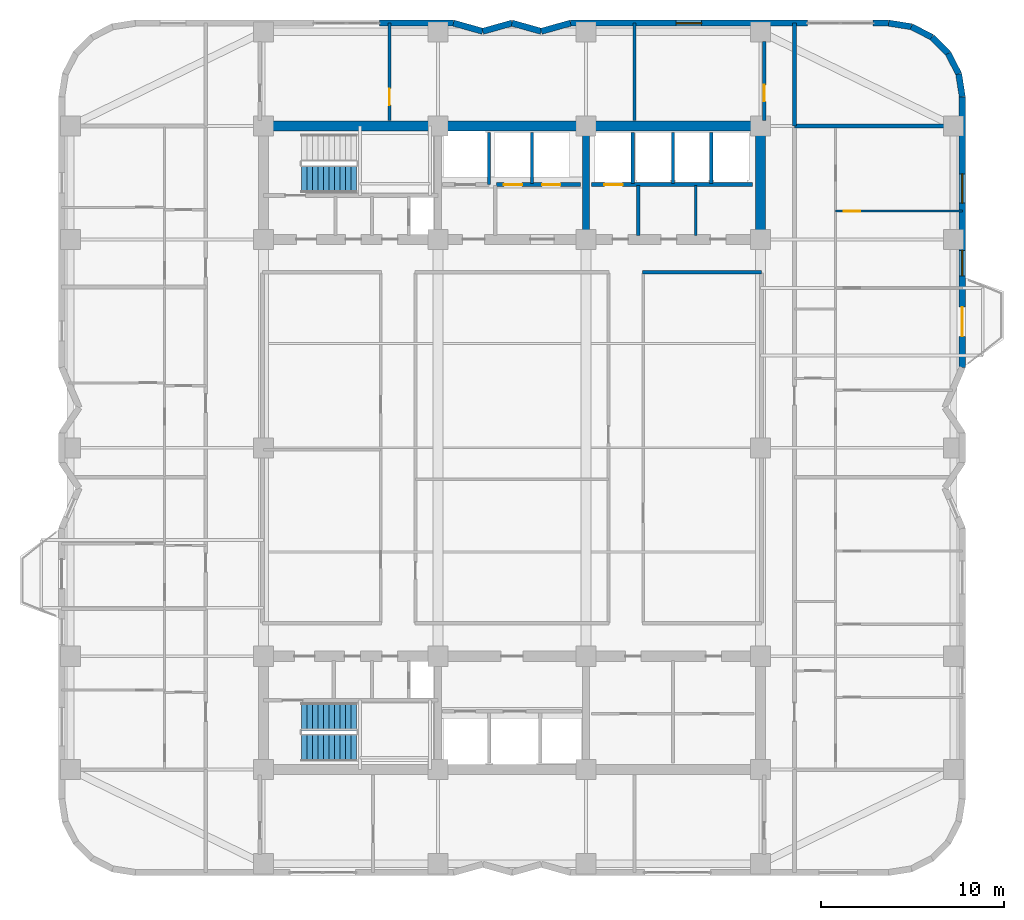
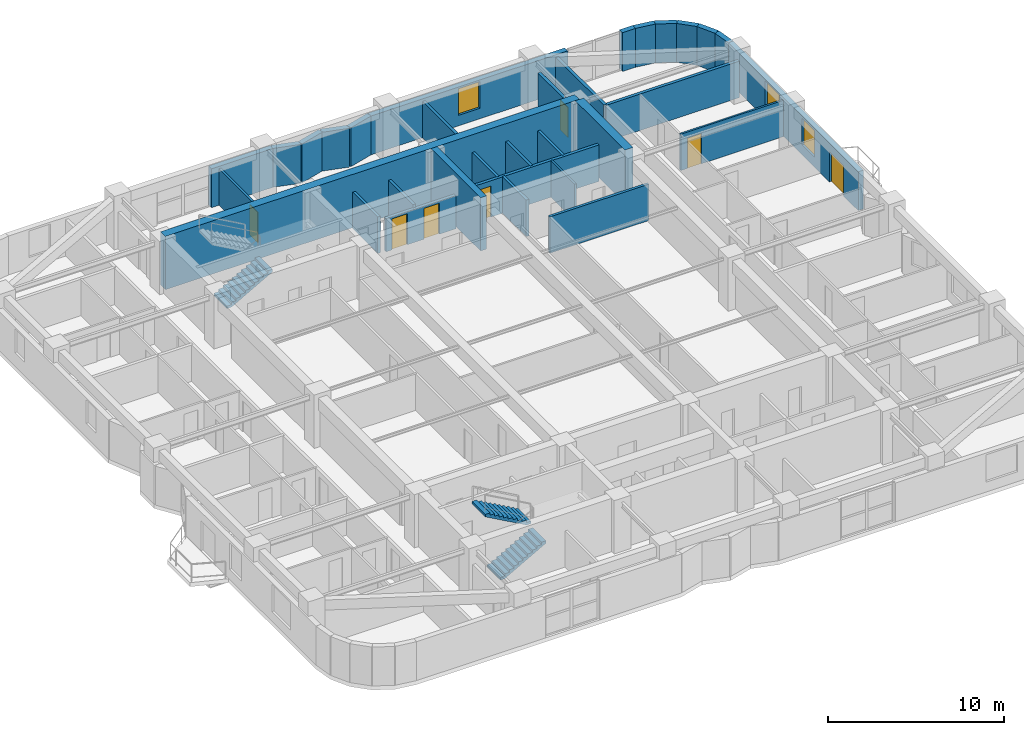
# One storey, part 12 of 15: 32 walls, 7 doors, 3 stair flights, 3 windows, 10 openings, 2 elements without a shape of their own.
"""IFC4 building model written with IfcOpenShell, lengths in metres."""

from ifc_helpers import new_model, si_unit, direction, frame, frame_2d, origin, place, context, subcontext, project, spatial, polyline, rectangle, outline, extrude, material, layer, layer_set, type_object, element, fill, aggregate, save


model = new_model("IFC4")

# Units and contexts
model_context = context("Model", 3, precision=1e-05, world=origin(), true_north=direction((0.0, 1.0)))
body_context = subcontext(model_context, "Body", "Model", "MODEL_VIEW")
ifc_project = project(units=[si_unit("LENGTHUNIT", "METRE"), si_unit("AREAUNIT", "SQUARE_METRE"), si_unit("VOLUMEUNIT", "CUBIC_METRE"), si_unit("PLANEANGLEUNIT", "RADIAN"), si_unit("MASSUNIT", "GRAM", prefix="KILO")], contexts=[model_context])

# Site, building, storey
site_placement = place(None, origin())
site = spatial("IfcSite", under=ifc_project, at=site_placement, CompositionType="ELEMENT")
building_placement = place(site_placement, origin())
building = spatial("IfcBuilding", under=site, at=building_placement, Name="Svetorya Sky Lyceum", CompositionType="ELEMENT")
storey_placement = place(building_placement, frame((0.0, 0.0, 99.39990234375)))
storey = spatial("IfcBuildingStorey", under=building, at=storey_placement, Name="L24", CompositionType="ELEMENT", Elevation=99.39990234375)

# Walls
ifc_material_1 = material(Name="Concrete C40/50", Category="concrete")
ifc_layer_1 = layer(ifc_material_1, 0.39990234375)
ifc_layer_set_1 = layer_set([ifc_layer_1], Name="Concrete C40/50")
wall_type_1 = type_object("IfcWallType", Name="WL-CORE-400", PredefinedType="SHEAR", material=ifc_layer_set_1)
wall_1_placement = place(storey_placement, frame((43.25, 39.875, 0.0), z_axis=(0.0, 0.0, 1.0), x_axis=(0.0, 1.0, 0.0)))
element("IfcWall", 1, at=wall_1_placement, inside=storey, type_object=wall_type_1, Name="L24 NC Internal Shear Web WEB2", PredefinedType="SHEAR", context=body_context, shape_type="SweptSolid", body=[
    extrude(rectangle(XDim=5.64990234375, YDim=0.39990234375, at=frame_2d((2.824951171875, 0.0))), origin(), (0.0, 0.0, 1.0), 3.7001953125),
])
ifc_material_2 = material(Name="Concrete C60/75", Category="concrete")
ifc_layer_2 = layer(ifc_material_2, 0.550048828125)
ifc_layer_set_2 = layer_set([ifc_layer_2], Name="Concrete C60/75")
wall_type_2 = type_object("IfcWallType", Name="WL-CORE-550", PredefinedType="SHEAR", material=ifc_layer_set_2)
wall_2_placement = place(storey_placement, frame((25.60009765625, 45.800048828125, 0.0), z_axis=(0.0, 0.0, 1.0), x_axis=(1.0, 0.0, 0.0)))
element("IfcWall", 2, at=wall_2_placement, inside=storey, type_object=wall_type_2, Name="L24 NC Outer Core Shear Wall", PredefinedType="SHEAR", context=body_context, shape_type="SweptSolid", body=[
    extrude(rectangle(XDim=27.199951171875, YDim=0.550048828125, at=frame_2d((13.60009765625, 0.0))), origin(), (0.0, 0.0, 1.0), 3.7001953125),
])
wall_3_placement = place(storey_placement, frame((52.800048828125, 39.875, 0.0), z_axis=(0.0, 0.0, 1.0), x_axis=(0.0, 1.0, 0.0)))
element("IfcWall", 3, at=wall_3_placement, inside=storey, type_object=wall_type_2, Name="L24 NC East Core Shear Wall", PredefinedType="SHEAR", context=body_context, shape_type="SweptSolid", body=[
    extrude(rectangle(XDim=5.64990234375, YDim=0.550048828125, at=frame_2d((2.824951171875, 0.0))), origin(), (0.0, 0.0, 1.0), 3.7001953125),
])

# Wall, openings, door, windows
ifc_material_3 = material(Name="Putilovo limestone rainscreen on autoclaved cellular masonry", Category="masonry")
ifc_layer_3 = layer(ifc_material_3, 0.340087890625)
ifc_layer_set_3 = layer_set([ifc_layer_3], Name="Putilovo limestone rainscreen on autoclaved cellular masonry")
wall_type_3 = type_object("IfcWallType", Name="WL-EXT-340", PredefinedType="SOLIDWALL", material=ifc_layer_set_3)
wall_4_placement = place(storey_placement, frame((63.830078125, 32.60009765625, 0.0), z_axis=(0.0, 0.0, 1.0), x_axis=(0.0, 1.0, 0.0)))
wall_4 = element("IfcWall", 4, at=wall_4_placement, inside=storey, type_object=wall_type_3, Name="L24 Limestone Exterior Wall 23M", PredefinedType="SOLIDWALL", context=body_context, shape_type="SweptSolid", body=[
    extrude(rectangle(XDim=14.7998046875, YDim=0.340087890625, at=frame_2d((7.39990234375, 0.0))), origin(), (0.0, 0.0, 1.0), 2.7001953125),
])
opening_1_placement = place(wall_4_placement, frame((1.699951171875, 0.0, 0.0)))
opening_1 = element("IfcOpeningElement", 5, at=opening_1_placement, cuts=wall_4, Name="Opening D-BL1", PredefinedType="OPENING", context=body_context, shape_type="SweptSolid", body=[
    extrude(rectangle(XDim=1.60009765625, YDim=2.10009765625, at=frame_2d((0.800048828125, 1.050048828125))), frame((0.0, 0.179931640625, 0.0), z_axis=(0.0, -1.0, 0.0), x_axis=(1.0, 0.0, 0.0)), (0.0, 0.0, 1.0), 0.360107421875),
])
opening_2_placement = place(wall_4_placement, frame((5.0, 0.0, 0.68994140625)))
opening_2 = element("IfcOpeningElement", 6, at=opening_2_placement, cuts=wall_4, Name="Opening W-R2", PredefinedType="OPENING", context=body_context, shape_type="SweptSolid", body=[
    extrude(rectangle(XDim=1.39990234375, YDim=1.85009765625, at=frame_2d((0.699951171875, 0.925048828125))), frame((0.0, 0.179931640625, 0.0), z_axis=(0.0, -1.0, 0.0), x_axis=(1.0, 0.0, 0.0)), (0.0, 0.0, 1.0), 0.360107421875),
])
opening_3_placement = place(wall_4_placement, frame((8.987548828125, 0.0, 0.679931640625)))
opening_3 = element("IfcOpeningElement", 7, at=opening_3_placement, cuts=wall_4, Name="Opening W-R4", PredefinedType="OPENING", context=body_context, shape_type="SweptSolid", body=[
    extrude(rectangle(XDim=1.60009765625, YDim=1.89990234375, at=frame_2d((0.800048828125, 0.949951171875))), frame((0.0, 0.179931640625, 0.0), z_axis=(0.0, -1.0, 0.0), x_axis=(1.0, 0.0, 0.0)), (0.0, 0.0, 1.0), 0.360107421875),
])
ifc_material_4 = material(Name="Insulated glazed aluminium balcony door", Category="aluminium")
door_type_1 = type_object("IfcDoorType", Name="DR-BAL-1600", OperationType="DOUBLE_DOOR_SINGLE_SWING", PredefinedType="DOOR", material=ifc_material_4)
door_1_placement = place(opening_1_placement, origin())
door_1 = element("IfcDoor", 8, at=door_1_placement, inside=storey, type_object=door_type_1, Name="L24 Balcony BAL-E1 Door", OperationType="DOUBLE_DOOR_SINGLE_SWING", OverallHeight=2.10009765625, OverallWidth=1.60009765625, PredefinedType="DOOR", context=body_context, shape_type="SweptSolid", body=[
    extrude(rectangle(XDim=1.60009765625, YDim=2.10009765625, at=frame_2d((0.800048828125, 1.050048828125))), frame((0.0, 0.02490234375, 0.0), z_axis=(0.0, -1.0, 0.0), x_axis=(1.0, 0.0, 0.0)), (0.0, 0.0, 1.0), 0.050048828125),
])
fill(opening_1, door_1)
ifc_material_5 = material(Name="Thermally broken aluminium frame with triple low-E glazing", Category="aluminium")
window_type_1 = type_object("IfcWindowType", Name="WN-RES-140", PartitioningType="SINGLE_PANEL", PredefinedType="WINDOW", material=ifc_material_5)
window_1_placement = place(opening_2_placement, origin())
window_1 = element("IfcWindow", 9, at=window_1_placement, inside=storey, type_object=window_type_1, Name="L24 Facade Window W-R2.23M.2", OverallHeight=1.85009765625, OverallWidth=1.39990234375, PartitioningType="SINGLE_PANEL", PredefinedType="WINDOW", context=body_context, shape_type="SweptSolid", body=[
    extrude(rectangle(XDim=1.39990234375, YDim=1.85009765625, at=frame_2d((0.699951171875, 0.925048828125))), frame((0.0, 0.030029296875, 0.0), z_axis=(0.0, -1.0, 0.0), x_axis=(1.0, 0.0, 0.0)), (0.0, 0.0, 1.0), 0.06005859375),
])
fill(opening_2, window_1)
window_type_2 = type_object("IfcWindowType", Name="WN-RES-160", PartitioningType="DOUBLE_PANEL_VERTICAL", PredefinedType="WINDOW", material=ifc_material_5)
window_2_placement = place(opening_3_placement, origin())
window_2 = element("IfcWindow", 10, at=window_2_placement, inside=storey, type_object=window_type_2, Name="L24 Facade Window W-R4.23M.1", OverallHeight=1.89990234375, OverallWidth=1.60009765625, PartitioningType="SINGLE_PANEL", PredefinedType="WINDOW", context=body_context, shape_type="SweptSolid", body=[
    extrude(rectangle(XDim=1.60009765625, YDim=1.89990234375, at=frame_2d((0.800048828125, 0.949951171875))), frame((0.0, 0.030029296875, 0.0), z_axis=(0.0, -1.0, 0.0), x_axis=(1.0, 0.0, 0.0)), (0.0, 0.0, 1.0), 0.06005859375),
])
fill(opening_3, window_2)

# Walls
for number, where, z_axis, x_axis, name in (
    (11, (63.830078125, 47.39990234375, 0.0), (0.0, 0.0, 1.0), (-0.15644975923, 0.987685918112, 0.0), "L24 Limestone Exterior Wall 24M"),
    (12, (63.6328125, 48.645263671875, 0.0), (0.0, 0.0, 1.0), (-0.454015689056, 0.890993689142, 0.0), "L24 Limestone Exterior Wall 25M"),
    (13, (63.060302734375, 49.768798828125, 0.0), (0.0, 0.0, 1.0), (-0.707106781187, 0.707106781187, 0.0), "L24 Limestone Exterior Wall 26M"),
):
    element("IfcWall", number, at=place(storey_placement, frame(where, z_axis=z_axis, x_axis=x_axis)), inside=storey, type_object=wall_type_3, Name=name, PredefinedType="SOLIDWALL", context=body_context, shape_type="SweptSolid", body=[
        extrude(rectangle(XDim=1.260986328125, YDim=0.340087890625, at=frame_2d((0.63037109375, 0.0))), origin(), (0.0, 0.0, 1.0), 2.7001953125),
    ])
for number, where, z_axis, x_axis, name in (
    (14, (62.168701171875, 50.660400390625, 0.0), (0.0, 0.0, 1.0), (-0.890953769915, 0.454094020963, 0.0), "L24 Limestone Exterior Wall 27M"),
    (15, (61.04541015625, 51.23291015625, 0.0), (0.0, 0.0, 1.0), (-0.98771582066, 0.156260864002, 0.0), "L24 Limestone Exterior Wall 28M"),
):
    element("IfcWall", number, at=place(storey_placement, frame(where, z_axis=z_axis, x_axis=x_axis)), inside=storey, type_object=wall_type_3, Name=name, PredefinedType="SOLIDWALL", context=body_context, shape_type="SweptSolid", body=[
        extrude(rectangle(XDim=1.2607421875, YDim=0.340087890625, at=frame_2d((0.63037109375, 0.0))), origin(), (0.0, 0.0, 1.0), 2.7001953125),
    ])
wall_5_placement = place(storey_placement, frame((59.800048828125, 51.429931640625, 0.0), z_axis=(0.0, 0.0, 1.0), x_axis=(-1.0, 0.0, 0.0)))
element("IfcWall", 16, at=wall_5_placement, inside=storey, type_object=wall_type_3, Name="L24 Limestone Exterior Wall 29A", PredefinedType="SOLIDWALL", context=body_context, shape_type="SweptSolid", body=[
    extrude(rectangle(XDim=0.85009765625, YDim=0.340087890625, at=frame_2d((0.425048828125, 0.0))), origin(), (0.0, 0.0, 1.0), 2.7001953125),
])

# Wall, opening, window
wall_6_placement = place(storey_placement, frame((55.35009765625, 51.429931640625, 0.0), z_axis=(0.0, 0.0, 1.0), x_axis=(-1.0, 0.0, 0.0)))
wall_6 = element("IfcWall", 17, at=wall_6_placement, inside=storey, type_object=wall_type_3, Name="L24 Limestone Exterior Wall 29B", PredefinedType="SOLIDWALL", context=body_context, shape_type="SweptSolid", body=[
    extrude(rectangle(XDim=12.9501953125, YDim=0.340087890625, at=frame_2d((6.47509765625, 0.0))), origin(), (0.0, 0.0, 1.0), 2.7001953125),
])
opening_4_placement = place(wall_6_placement, frame((5.77490234375, 0.0, 0.72998046875)))
opening_4 = element("IfcOpeningElement", 18, at=opening_4_placement, cuts=wall_6, Name="Opening W-R2", PredefinedType="OPENING", context=body_context, shape_type="SweptSolid", body=[
    extrude(rectangle(XDim=1.39990234375, YDim=1.85009765625, at=frame_2d((0.699951171875, 0.925048828125))), frame((0.0, 0.179931640625, 0.0), z_axis=(0.0, -1.0, 0.0), x_axis=(1.0, 0.0, 0.0)), (0.0, 0.0, 1.0), 0.360107421875),
])
window_3_placement = place(opening_4_placement, origin())
window_3 = element("IfcWindow", 19, at=window_3_placement, inside=storey, type_object=window_type_1, Name="L24 Facade Window W-R2.29B.1", OverallHeight=1.85009765625, OverallWidth=1.39990234375, PartitioningType="SINGLE_PANEL", PredefinedType="WINDOW", context=body_context, shape_type="SweptSolid", body=[
    extrude(rectangle(XDim=1.39990234375, YDim=1.85009765625, at=frame_2d((0.699951171875, 0.925048828125))), frame((0.0, 0.030029296875, 0.0), z_axis=(0.0, -1.0, 0.0), x_axis=(1.0, 0.0, 0.0)), (0.0, 0.0, 1.0), 0.06005859375),
])
fill(opening_4, window_3)

# Walls
wall_7_placement = place(storey_placement, frame((42.39990234375, 51.429931640625, 0.0), z_axis=(0.0, 0.0, 1.0), x_axis=(-0.962652136636, -0.270741322725, 0.0)))
element("IfcWall", 20, at=wall_7_placement, inside=storey, type_object=wall_type_3, Name="L24 Limestone Exterior Wall 30M", PredefinedType="SOLIDWALL", context=body_context, shape_type="SweptSolid", body=[
    extrude(rectangle(XDim=1.661865234375, YDim=0.340087890625, at=frame_2d((0.8310546875, 0.0))), origin(), (0.0, 0.0, 1.0), 2.7001953125),
])
wall_8_placement = place(storey_placement, frame((40.800048828125, 50.97998046875, 0.0), z_axis=(0.0, 0.0, 1.0), x_axis=(-0.962662902433, 0.270703040766, 0.0)))
element("IfcWall", 21, at=wall_8_placement, inside=storey, type_object=wall_type_3, Name="L24 Limestone Exterior Wall 31M", PredefinedType="SOLIDWALL", context=body_context, shape_type="SweptSolid", body=[
    extrude(rectangle(XDim=1.662109375, YDim=0.340087890625, at=frame_2d((0.8310546875, 0.0))), origin(), (0.0, 0.0, 1.0), 2.7001953125),
])
wall_9_placement = place(storey_placement, frame((39.199951171875, 51.429931640625, 0.0), z_axis=(0.0, 0.0, 1.0), x_axis=(-0.962652136636, -0.270741322725, 0.0)))
element("IfcWall", 22, at=wall_9_placement, inside=storey, type_object=wall_type_3, Name="L24 Limestone Exterior Wall 32M", PredefinedType="SOLIDWALL", context=body_context, shape_type="SweptSolid", body=[
    extrude(rectangle(XDim=1.661865234375, YDim=0.340087890625, at=frame_2d((0.8310546875, 0.0))), origin(), (0.0, 0.0, 1.0), 2.7001953125),
])
wall_10_placement = place(storey_placement, frame((37.60009765625, 50.97998046875, 0.0), z_axis=(0.0, 0.0, 1.0), x_axis=(-0.962662902433, 0.270703040766, 0.0)))
element("IfcWall", 23, at=wall_10_placement, inside=storey, type_object=wall_type_3, Name="L24 Limestone Exterior Wall 33M", PredefinedType="SOLIDWALL", context=body_context, shape_type="SweptSolid", body=[
    extrude(rectangle(XDim=1.662109375, YDim=0.340087890625, at=frame_2d((0.8310546875, 0.0))), origin(), (0.0, 0.0, 1.0), 2.7001953125),
])
wall_11_placement = place(storey_placement, frame((36.0, 51.429931640625, 0.0), z_axis=(0.0, 0.0, 1.0), x_axis=(-1.0, 0.0, 0.0)))
element("IfcWall", 24, at=wall_11_placement, inside=storey, type_object=wall_type_3, Name="L24 Limestone Exterior Wall 34A", PredefinedType="SOLIDWALL", context=body_context, shape_type="SweptSolid", body=[
    extrude(rectangle(XDim=4.050048828125, YDim=0.340087890625, at=frame_2d((2.02490234375, 0.0))), origin(), (0.0, 0.0, 1.0), 2.7001953125),
])
ifc_material_6 = material(Name="Twin-stud galvanized framing with double fireboard", Category="gypsum")
ifc_layer_4 = layer(ifc_material_6, 0.1201171875)
ifc_layer_set_4 = layer_set([ifc_layer_4], Name="Twin-stud galvanized framing with double fireboard")
wall_type_4 = type_object("IfcWallType", Name="WL-PART-120", PredefinedType="PARTITIONING", material=ifc_layer_set_4)
wall_12_placement = place(storey_placement, frame((49.25, 39.820068359375, 0.0), z_axis=(0.0, 0.0, 1.0), x_axis=(0.0, 1.0, 0.0)))
element("IfcWall", 25, at=wall_12_placement, inside=storey, type_object=wall_type_4, Name="L24 Interior Partition NC-Z2ED", PredefinedType="PARTITIONING", context=body_context, shape_type="SweptSolid", body=[
    extrude(rectangle(XDim=2.72998046875, YDim=0.1201171875, at=frame_2d((1.364990234375, 0.0))), origin(), (0.0, 0.0, 1.0), 2.530029296875),
])

# Wall, opening, door
wall_13_placement = place(storey_placement, frame((56.89990234375, 41.14990234375, 0.0), z_axis=(0.0, 0.0, 1.0), x_axis=(1.0, 0.0, 0.0)))
wall_13 = element("IfcWall", 26, at=wall_13_placement, inside=storey, type_object=wall_type_4, Name="L24 Interior Partition E2-WL3", PredefinedType="PARTITIONING", context=body_context, shape_type="SweptSolid", body=[
    extrude(rectangle(XDim=6.93017578125, YDim=0.1201171875, at=frame_2d((3.465087890625, 0.0))), origin(), (0.0, 0.0, 1.0), 2.530029296875),
])
opening_5_placement = place(wall_13_placement, frame((0.449951171875, 0.0, 0.0)))
opening_5 = element("IfcOpeningElement", 27, at=opening_5_placement, cuts=wall_13, Name="Opening D-RM1", PredefinedType="OPENING", context=body_context, shape_type="SweptSolid", body=[
    extrude(rectangle(XDim=0.89990234375, YDim=2.10009765625, at=frame_2d((0.449951171875, 1.050048828125))), frame((0.0, 0.070068359375, 0.0), z_axis=(0.0, -1.0, 0.0), x_axis=(1.0, 0.0, 0.0)), (0.0, 0.0, 1.0), 0.14013671875),
])
ifc_material_7 = material(Name="Lacquered birch veneer internal door")
door_type_2 = type_object("IfcDoorType", Name="DR-INT-900", OperationType="SINGLE_SWING_LEFT", PredefinedType="DOOR", material=ifc_material_7)
door_2_placement = place(opening_5_placement, origin())
door_2 = element("IfcDoor", 28, at=door_2_placement, inside=storey, type_object=door_type_2, Name="Apartment E2 Bedroom 3 Door", OperationType="SINGLE_SWING_LEFT", OverallHeight=2.10009765625, OverallWidth=0.89990234375, PredefinedType="DOOR", context=body_context, shape_type="SweptSolid", body=[
    extrude(rectangle(XDim=0.89990234375, YDim=2.10009765625, at=frame_2d((0.449951171875, 1.050048828125))), frame((0.0, 0.02490234375, 0.0), z_axis=(0.0, -1.0, 0.0), x_axis=(1.0, 0.0, 0.0)), (0.0, 0.0, 1.0), 0.050048828125),
])
fill(opening_5, door_2)

ifc_material_8 = material(Name="Autoclaved cellular masonry blockwork with acoustic render", Category="masonry")
ifc_layer_5 = layer(ifc_material_8, 0.14990234375)
ifc_layer_set_5 = layer_set([ifc_layer_5], Name="Autoclaved cellular masonry blockwork with acoustic render")
wall_type_5 = type_object("IfcWallType", Name="WL-PART-150", PredefinedType="PARTITIONING", material=ifc_layer_set_5)
wall_14_placement = place(storey_placement, frame((32.5, 46.10009765625, 0.0), z_axis=(0.0, 0.0, 1.0), x_axis=(0.0, 1.0, 0.0)))
wall_14 = element("IfcWall", 29, at=wall_14_placement, inside=storey, type_object=wall_type_5, Name="L24 Interior Partition N-D1", PredefinedType="PARTITIONING", context=body_context, shape_type="SweptSolid", body=[
    extrude(rectangle(XDim=5.329833984375, YDim=0.14990234375, at=frame_2d((2.6650390625, 0.0))), origin(), (0.0, 0.0, 1.0), 2.530029296875),
])
opening_6_placement = place(wall_14_placement, frame((0.85009765625, 0.0, 0.0)))
opening_6 = element("IfcOpeningElement", 30, at=opening_6_placement, cuts=wall_14, Name="Opening D-RM1", PredefinedType="OPENING", context=body_context, shape_type="SweptSolid", body=[
    extrude(rectangle(XDim=0.89990234375, YDim=2.10009765625, at=frame_2d((0.449951171875, 1.050048828125))), frame((0.0, 0.0849609375, 0.0), z_axis=(0.0, -1.0, 0.0), x_axis=(1.0, 0.0, 0.0)), (0.0, 0.0, 1.0), 0.169921875),
])
door_3_placement = place(opening_6_placement, origin())
door_3 = element("IfcDoor", 31, at=door_3_placement, inside=storey, type_object=door_type_2, Name="L24 North Store Door", OperationType="SINGLE_SWING_RIGHT", OverallHeight=2.10009765625, OverallWidth=0.89990234375, PredefinedType="DOOR", context=body_context, shape_type="SweptSolid", body=[
    extrude(rectangle(XDim=0.89990234375, YDim=2.10009765625, at=frame_2d((0.449951171875, 1.050048828125))), frame((0.0, 0.02490234375, 0.0), z_axis=(0.0, -1.0, 0.0), x_axis=(1.0, 0.0, 0.0)), (0.0, 0.0, 1.0), 0.050048828125),
])
fill(opening_6, door_3)

# Walls
ifc_material_9 = material(Name="Autoclaved cellular masonry blockwork with fire render", Category="masonry")
ifc_layer_6 = layer(ifc_material_9, 0.175048828125)
ifc_layer_set_6 = layer_set([ifc_layer_6], Name="Autoclaved cellular masonry blockwork with fire render")
wall_type_6 = type_object("IfcWallType", Name="WL-PART-175", PredefinedType="PARTITIONING", material=ifc_layer_set_6)
wall_15_placement = place(storey_placement, frame((37.949951171875, 42.60009765625, 0.0), z_axis=(0.0, 0.0, 1.0), x_axis=(0.0, 1.0, 0.0)))
element("IfcWall", 32, at=wall_15_placement, inside=storey, type_object=wall_type_6, Name="L24 Interior Partition NC-FL1SIDE", PredefinedType="PARTITIONING", context=body_context, shape_type="SweptSolid", body=[
    extrude(rectangle(XDim=2.849853515625, YDim=0.175048828125, at=frame_2d((1.4248046875, 0.0))), origin(), (0.0, 0.0, 1.0), 2.530029296875),
])
for number, where, z_axis, x_axis, name in (
    (33, (40.300048828125, 42.64990234375, 0.0), (0.0, 0.0, 1.0), (0.0, 1.0, 0.0), "L24 Interior Partition NC-PM-D1"),
    (34, (45.800048828125, 42.64990234375, 0.0), (0.0, 0.0, 1.0), (0.0, 1.0, 0.0), "L24 Interior Partition NC-PM3-D"),
    (35, (48.0, 42.64990234375, 0.0), (0.0, 0.0, 1.0), (0.0, 1.0, 0.0), "L24 Interior Partition NC-PH-D1"),
    (36, (50.10009765625, 42.64990234375, 0.0), (0.0, 0.0, 1.0), (0.0, 1.0, 0.0), "L24 Interior Partition NC-PH-D2"),
):
    element("IfcWall", number, at=place(storey_placement, frame(where, z_axis=z_axis, x_axis=x_axis)), inside=storey, type_object=wall_type_6, Name=name, PredefinedType="PARTITIONING", context=body_context, shape_type="SweptSolid", body=[
        extrude(rectangle(XDim=2.800048828125, YDim=0.175048828125, at=frame_2d((1.39990234375, 0.0))), origin(), (0.0, 0.0, 1.0), 2.530029296875),
    ])
wall_16_placement = place(storey_placement, frame((46.10009765625, 39.820068359375, 0.0), z_axis=(0.0, 0.0, 1.0), x_axis=(0.0, 1.0, 0.0)))
element("IfcWall", 37, at=wall_16_placement, inside=storey, type_object=wall_type_6, Name="L24 Interior Partition NC-PM3SEP", PredefinedType="PARTITIONING", context=body_context, shape_type="SweptSolid", body=[
    extrude(rectangle(XDim=2.72998046875, YDim=0.175048828125, at=frame_2d((1.364990234375, 0.0))), origin(), (0.0, 0.0, 1.0), 2.530029296875),
])
wall_17_placement = place(storey_placement, frame((46.35009765625, 37.800048828125, 0.0), z_axis=(0.0, 0.0, 1.0), x_axis=(1.0, 0.0, 0.0)))
element("IfcWall", 38, at=wall_17_placement, inside=storey, type_object=wall_type_6, Name="L24 Interior Partition RL-CN-E", PredefinedType="PARTITIONING", context=body_context, shape_type="SweptSolid", body=[
    extrude(rectangle(XDim=6.5, YDim=0.175048828125, at=frame_2d((3.25, 0.0))), origin(), (0.0, 0.0, 1.0), 2.530029296875),
])
wall_18_placement = place(storey_placement, frame((45.89990234375, 46.10009765625, 0.0), z_axis=(0.0, 0.0, 1.0), x_axis=(0.0, 1.0, 0.0)))
element("IfcWall", 39, at=wall_18_placement, inside=storey, type_object=wall_type_6, Name="L24 Interior Partition N-D2", PredefinedType="PARTITIONING", context=body_context, shape_type="SweptSolid", body=[
    extrude(rectangle(XDim=5.329833984375, YDim=0.175048828125, at=frame_2d((2.6650390625, 0.0))), origin(), (0.0, 0.0, 1.0), 2.530029296875),
])

# Wall, openings, doors
ifc_material_10 = material(Name="Autoclaved cellular masonry blockwork with gypsum plaster", Category="masonry")
ifc_layer_7 = layer(ifc_material_10, 0.199951171875)
ifc_layer_set_7 = layer_set([ifc_layer_7], Name="Autoclaved cellular masonry blockwork with gypsum plaster")
wall_type_7 = type_object("IfcWallType", Name="WL-PART-200", PredefinedType="PARTITIONING", material=ifc_layer_set_7)
wall_19_placement = place(storey_placement, frame((42.949951171875, 42.60009765625, 0.0), z_axis=(0.0, 0.0, 1.0), x_axis=(-1.0, 0.0, 0.0)))
wall_19 = element("IfcWall", 40, at=wall_19_placement, inside=storey, type_object=wall_type_7, Name="L24 Interior Partition NC-PM12W", PredefinedType="PARTITIONING", context=body_context, shape_type="SweptSolid", body=[
    extrude(rectangle(XDim=4.599853515625, YDim=0.199951171875, at=frame_2d((2.2998046875, 0.0))), origin(), (0.0, 0.0, 1.0), 2.300048828125),
])
opening_7_placement = place(wall_19_placement, frame((3.199951171875, 0.0, 0.0)))
opening_7 = element("IfcOpeningElement", 41, at=opening_7_placement, cuts=wall_19, Name="Opening LD-P1", PredefinedType="OPENING", context=body_context, shape_type="SweptSolid", body=[
    extrude(rectangle(XDim=1.0, YDim=2.14990234375, at=frame_2d((0.5, 1.074951171875))), frame((0.0, 0.10986328125, 0.0), z_axis=(0.0, -1.0, 0.0), x_axis=(1.0, 0.0, 0.0)), (0.0, 0.0, 1.0), 0.219970703125),
])
opening_8_placement = place(wall_19_placement, frame((1.10009765625, 0.0, 0.0)))
opening_8 = element("IfcOpeningElement", 42, at=opening_8_placement, cuts=wall_19, Name="Opening LD-P1", PredefinedType="OPENING", context=body_context, shape_type="SweptSolid", body=[
    extrude(rectangle(XDim=1.0, YDim=2.14990234375, at=frame_2d((0.5, 1.074951171875))), frame((0.0, 0.10986328125, 0.0), z_axis=(0.0, -1.0, 0.0), x_axis=(1.0, 0.0, 0.0)), (0.0, 0.0, 1.0), 0.219970703125),
])
ifc_material_11 = material(Name="Champagne-anodized stainless passenger lift landing door")
door_type_3 = type_object("IfcDoorType", Name="DR-LIFT-1000", OperationType="SLIDING_TO_LEFT", PredefinedType="DOOR", material=ifc_material_11)
door_4_placement = place(opening_7_placement, origin())
door_4 = element("IfcDoor", 43, at=door_4_placement, inside=storey, type_object=door_type_3, Name="L24 Passenger Lift PM1 Landing Door", OperationType="SLIDING_TO_LEFT", OverallHeight=2.14990234375, OverallWidth=1.0, PredefinedType="DOOR", context=body_context, shape_type="SweptSolid", body=[
    extrude(rectangle(XDim=1.0, YDim=2.14990234375, at=frame_2d((0.5, 1.074951171875))), frame((0.0, 0.02490234375, 0.0), z_axis=(0.0, -1.0, 0.0), x_axis=(1.0, 0.0, 0.0)), (0.0, 0.0, 1.0), 0.050048828125),
])
fill(opening_7, door_4)
door_5_placement = place(opening_8_placement, origin())
door_5 = element("IfcDoor", 44, at=door_5_placement, inside=storey, type_object=door_type_3, Name="L24 Passenger Lift PM2 Landing Door", OperationType="SLIDING_TO_LEFT", OverallHeight=2.14990234375, OverallWidth=1.0, PredefinedType="DOOR", context=body_context, shape_type="SweptSolid", body=[
    extrude(rectangle(XDim=1.0, YDim=2.14990234375, at=frame_2d((0.5, 1.074951171875))), frame((0.0, 0.02490234375, 0.0), z_axis=(0.0, -1.0, 0.0), x_axis=(1.0, 0.0, 0.0)), (0.0, 0.0, 1.0), 0.050048828125),
])
fill(opening_8, door_5)

# Wall, opening, door
wall_20_placement = place(storey_placement, frame((52.35009765625, 42.60009765625, 0.0), z_axis=(0.0, 0.0, 1.0), x_axis=(-1.0, 0.0, 0.0)))
wall_20 = element("IfcWall", 45, at=wall_20_placement, inside=storey, type_object=wall_type_7, Name="L24 Interior Partition NC-PHEW", PredefinedType="PARTITIONING", context=body_context, shape_type="SweptSolid", body=[
    extrude(rectangle(XDim=8.800048828125, YDim=0.199951171875, at=frame_2d((4.39990234375, 0.0))), origin(), (0.0, 0.0, 1.0), 2.530029296875),
])
opening_9_placement = place(wall_20_placement, frame((7.10009765625, 0.0, 0.0)))
opening_9 = element("IfcOpeningElement", 46, at=opening_9_placement, cuts=wall_20, Name="Opening LD-P1", PredefinedType="OPENING", context=body_context, shape_type="SweptSolid", body=[
    extrude(rectangle(XDim=1.0, YDim=2.14990234375, at=frame_2d((0.5, 1.074951171875))), frame((0.0, 0.10986328125, 0.0), z_axis=(0.0, -1.0, 0.0), x_axis=(1.0, 0.0, 0.0)), (0.0, 0.0, 1.0), 0.219970703125),
])
door_6_placement = place(opening_9_placement, origin())
door_6 = element("IfcDoor", 47, at=door_6_placement, inside=storey, type_object=door_type_3, Name="L24 Passenger Lift PM3 Landing Door", OperationType="SLIDING_TO_LEFT", OverallHeight=2.14990234375, OverallWidth=1.0, PredefinedType="DOOR", context=body_context, shape_type="SweptSolid", body=[
    extrude(rectangle(XDim=1.0, YDim=2.14990234375, at=frame_2d((0.5, 1.074951171875))), frame((0.0, 0.02490234375, 0.0), z_axis=(0.0, -1.0, 0.0), x_axis=(1.0, 0.0, 0.0)), (0.0, 0.0, 1.0), 0.050048828125),
])
fill(opening_9, door_6)

# Walls
wall_21_placement = place(storey_placement, frame((54.64990234375, 45.800048828125, 0.0), z_axis=(0.0, 0.0, 1.0), x_axis=(1.0, 0.0, 0.0)))
element("IfcWall", 48, at=wall_21_placement, inside=storey, type_object=wall_type_7, Name="L24 Interior Partition E-CAP-N", PredefinedType="PARTITIONING", context=body_context, shape_type="SweptSolid", body=[
    extrude(rectangle(XDim=8.760009765625, YDim=0.199951171875, at=frame_2d((4.3798828125, 0.0))), origin(), (0.0, 0.0, 1.0), 2.530029296875),
])
wall_22_placement = place(storey_placement, frame((54.64990234375, 45.800048828125, 0.0), z_axis=(0.0, 0.0, 1.0), x_axis=(0.0, 1.0, 0.0)))
element("IfcWall", 49, at=wall_22_placement, inside=storey, type_object=wall_type_7, Name="L24 Interior Partition EC-NE-END", PredefinedType="PARTITIONING", context=body_context, shape_type="SweptSolid", body=[
    extrude(rectangle(XDim=5.6298828125, YDim=0.199951171875, at=frame_2d((2.81494140625, 0.0))), origin(), (0.0, 0.0, 1.0), 2.530029296875),
])

# Wall, opening, door
wall_23_placement = place(storey_placement, frame((53.0, 46.10009765625, 0.0), z_axis=(0.0, 0.0, 1.0), x_axis=(0.0, 1.0, 0.0)))
wall_23 = element("IfcWall", 50, at=wall_23_placement, inside=storey, type_object=wall_type_7, Name="L24 Interior Partition N-EE", PredefinedType="PARTITIONING", context=body_context, shape_type="SweptSolid", body=[
    extrude(rectangle(XDim=4.329833984375, YDim=0.199951171875, at=frame_2d((2.1650390625, 0.0))), origin(), (0.0, 0.0, 1.0), 2.530029296875),
])
opening_10_placement = place(wall_23_placement, frame((1.050048828125, 0.0, 0.0)))
opening_10 = element("IfcOpeningElement", 51, at=opening_10_placement, cuts=wall_23, Name="Opening D-RM1", PredefinedType="OPENING", context=body_context, shape_type="SweptSolid", body=[
    extrude(rectangle(XDim=0.89990234375, YDim=2.10009765625, at=frame_2d((0.449951171875, 1.050048828125))), frame((0.0, 0.10986328125, 0.0), z_axis=(0.0, -1.0, 0.0), x_axis=(1.0, 0.0, 0.0)), (0.0, 0.0, 1.0), 0.219970703125),
])
door_7_placement = place(opening_10_placement, origin())
door_7 = element("IfcDoor", 52, at=door_7_placement, inside=storey, type_object=door_type_2, Name="L24 North Meeting Door", OperationType="SINGLE_SWING_LEFT", OverallHeight=2.10009765625, OverallWidth=0.89990234375, PredefinedType="DOOR", context=body_context, shape_type="SweptSolid", body=[
    extrude(rectangle(XDim=0.89990234375, YDim=2.10009765625, at=frame_2d((0.449951171875, 1.050048828125))), frame((0.0, 0.02490234375, 0.0), z_axis=(0.0, -1.0, 0.0), x_axis=(1.0, 0.0, 0.0)), (0.0, 0.0, 1.0), 0.050048828125),
])
fill(opening_10, door_7)

# Stair, stair flight
stair_type_1 = type_object("IfcStairType", Name="STR-ST-N", PredefinedType="HALF_TURN_STAIR", material=ifc_material_1)
stair_1_placement = place(storey_placement, origin())
stair_1 = element("IfcStair", 53, at=stair_1_placement, inside=storey, type_object=stair_type_1, Name="L24 North Core Smoke-Free Exit Stair N3", PredefinedType="HALF_TURN_STAIR")
stair_flight_type_1 = type_object("IfcStairFlightType", Name="SFL-ST-N", PredefinedType="STRAIGHT", material=ifc_material_1)
stair_flight_1_placement = place(storey_placement, frame((27.699951171875, 42.89990234375, 0.0), z_axis=(0.0, 0.0, 1.0), x_axis=(1.0, 0.0, 0.0)))
stair_flight_1 = element("IfcStairFlight", 54, at=stair_flight_1_placement, type_object=stair_flight_type_1, Name="ST-N flight 1", NumberOfRisers=11, NumberOfTreads=10, PredefinedType="STRAIGHT", RiserHeight=0.168181818, TreadLength=0.3, context=body_context, shape_type="SweptSolid", body=[
    extrude(outline(polyline([(0.0, 0.0), (0.0, 0.168212890625), (0.300048828125, 0.168212890625), (0.300048828125, 0.33642578125), (0.60009765625, 0.33642578125), (0.60009765625, 0.504638671875), (0.89990234375, 0.504638671875), (0.89990234375, 0.672607421875), (1.199951171875, 0.672607421875), (1.199951171875, 0.8408203125), (1.5, 0.8408203125), (1.5, 1.009033203125), (1.800048828125, 1.009033203125), (1.800048828125, 1.17724609375), (2.10009765625, 1.17724609375), (2.10009765625, 1.345458984375), (2.39990234375, 1.345458984375), (2.39990234375, 1.513671875), (2.699951171875, 1.513671875), (2.699951171875, 1.681884765625), (3.0, 1.681884765625), (3.0, 1.85009765625), (3.0, 1.510009765625), (0.306640625, 0.0), (0.0, 0.0)])), frame((0.0, 0.75, 0.0), z_axis=(0.0, -1.0, 0.0), x_axis=(1.0, 0.0, 0.0)), (0.0, 0.0, 1.0), 1.5),
])
aggregate(stair_1, [stair_flight_1])

# Stair, stair flights
stair_type_2 = type_object("IfcStairType", Name="STR-ST-S", PredefinedType="HALF_TURN_STAIR", material=ifc_material_1)
stair_2_placement = place(storey_placement, origin())
stair_2 = element("IfcStair", 55, at=stair_2_placement, inside=storey, type_object=stair_type_2, Name="L24 South Core Smoke-Free Exit Stair N2", PredefinedType="HALF_TURN_STAIR")
stair_flight_type_2 = type_object("IfcStairFlightType", Name="SFL-ST-S", PredefinedType="STRAIGHT", material=ifc_material_1)
stair_flight_2_placement = place(storey_placement, frame((27.699951171875, 11.800048828125, 0.0), z_axis=(0.0, 0.0, 1.0), x_axis=(1.0, 0.0, 0.0)))
stair_flight_2 = element("IfcStairFlight", 56, at=stair_flight_2_placement, type_object=stair_flight_type_2, Name="ST-S flight 1", NumberOfRisers=11, NumberOfTreads=10, PredefinedType="STRAIGHT", RiserHeight=0.168181818, TreadLength=0.3, context=body_context, shape_type="SweptSolid", body=[
    extrude(outline(polyline([(0.0, 0.0), (0.0, 0.168212890625), (0.300048828125, 0.168212890625), (0.300048828125, 0.33642578125), (0.60009765625, 0.33642578125), (0.60009765625, 0.504638671875), (0.89990234375, 0.504638671875), (0.89990234375, 0.672607421875), (1.199951171875, 0.672607421875), (1.199951171875, 0.8408203125), (1.5, 0.8408203125), (1.5, 1.009033203125), (1.800048828125, 1.009033203125), (1.800048828125, 1.17724609375), (2.10009765625, 1.17724609375), (2.10009765625, 1.345458984375), (2.39990234375, 1.345458984375), (2.39990234375, 1.513671875), (2.699951171875, 1.513671875), (2.699951171875, 1.681884765625), (3.0, 1.681884765625), (3.0, 1.85009765625), (3.0, 1.510009765625), (0.306640625, 0.0), (0.0, 0.0)])), frame((0.0, 0.75, 0.0), z_axis=(0.0, -1.0, 0.0), x_axis=(1.0, 0.0, 0.0)), (0.0, 0.0, 1.0), 1.5),
])
stair_flight_3_placement = place(storey_placement, frame((30.699951171875, 13.5, 1.85009765625), z_axis=(0.0, 0.0, 1.0), x_axis=(-1.0, 0.0, 0.0)))
stair_flight_3 = element("IfcStairFlight", 57, at=stair_flight_3_placement, type_object=stair_flight_type_2, Name="ST-S flight 2", NumberOfRisers=11, NumberOfTreads=10, PredefinedType="STRAIGHT", RiserHeight=0.168181818, TreadLength=0.3, context=body_context, shape_type="SweptSolid", body=[
    extrude(outline(polyline([(0.0, 0.0), (0.0, 0.168212890625), (0.300048828125, 0.168212890625), (0.300048828125, 0.33642578125), (0.60009765625, 0.33642578125), (0.60009765625, 0.504638671875), (0.89990234375, 0.504638671875), (0.89990234375, 0.672607421875), (1.199951171875, 0.672607421875), (1.199951171875, 0.8408203125), (1.5, 0.8408203125), (1.5, 1.009033203125), (1.800048828125, 1.009033203125), (1.800048828125, 1.17724609375), (2.10009765625, 1.17724609375), (2.10009765625, 1.345458984375), (2.39990234375, 1.345458984375), (2.39990234375, 1.513671875), (2.699951171875, 1.513671875), (2.699951171875, 1.681884765625), (3.0, 1.681884765625), (3.0, 1.85009765625), (3.0, 1.510009765625), (0.306640625, 0.0), (0.0, 0.0)])), frame((0.0, 0.75, 0.0), z_axis=(0.0, -1.0, 0.0), x_axis=(1.0, 0.0, 0.0)), (0.0, 0.0, 1.0), 1.5),
])
aggregate(stair_2, [stair_flight_2, stair_flight_3])

save(model, "model.ifc")
